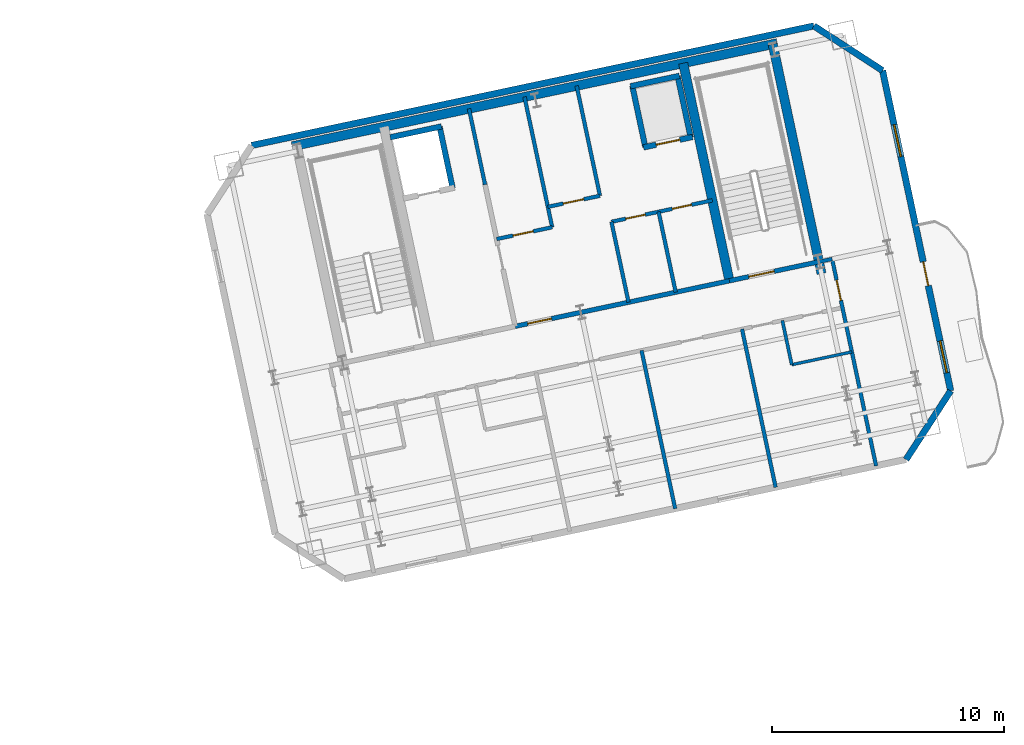
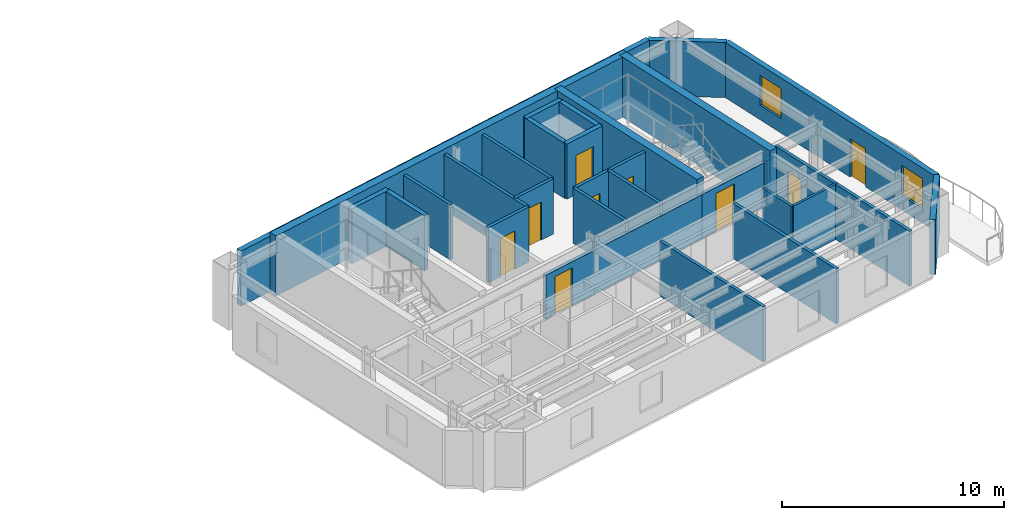
# One storey, part 8 of 14: 29 walls, 9 doors, 2 windows, 11 openings.
"""IFC4 building model written with IfcOpenShell, lengths in metres."""

from ifc_helpers import new_model, si_unit, direction, frame, frame_2d, origin, place, context, subcontext, project, spatial, rectangle, extrude, material, layer, layer_set, type_object, element, fill, save


model = new_model("IFC4")

# Units and contexts
model_context = context("Model", 3, precision=1e-05, world=origin(), true_north=direction((0.0, 1.0)))
body_context = subcontext(model_context, "Body", "Model", "MODEL_VIEW")
ifc_project = project(units=[si_unit("LENGTHUNIT", "METRE"), si_unit("AREAUNIT", "SQUARE_METRE"), si_unit("VOLUMEUNIT", "CUBIC_METRE"), si_unit("PLANEANGLEUNIT", "RADIAN"), si_unit("MASSUNIT", "GRAM", prefix="KILO")], contexts=[model_context])

# Site, building, storey
site_placement = place(None, origin())
site = spatial("IfcSite", under=ifc_project, at=site_placement, CompositionType="ELEMENT")
building_placement = place(site_placement, origin())
building = spatial("IfcBuilding", under=site, at=building_placement, Name="Haevon Station Towers", CompositionType="ELEMENT")
storey_placement = place(building_placement, frame((0.0, 0.0, 205.5)))
storey = spatial("IfcBuildingStorey", under=building, at=storey_placement, Name="L56", CompositionType="ELEMENT", Elevation=205.5)

# Wall, opening, door
ifc_material_1 = material(Name="Gypsum board on steel stud", Category="steel")
ifc_layer_1 = layer(ifc_material_1, 0.199951171875)
ifc_layer_set_1 = layer_set([ifc_layer_1], Name="Gypsum board on steel stud")
wall_type_1 = type_object("IfcWallType", Name="WL-COR200", PredefinedType="PARTITIONING", material=ifc_layer_set_1)
wall_1_placement = place(storey_placement, frame((115.4296875, 40.9873046875, 0.0), z_axis=(0.0, 0.0, 1.0), x_axis=(0.978146596989, 0.207916413008, 0.0)))
wall_1 = element("IfcWall", 1, at=wall_1_placement, inside=storey, type_object=wall_type_1, Name="WL-ST-ST4-L56", PredefinedType="PARTITIONING", context=body_context, shape_type="SweptSolid", body=[
    extrude(rectangle(XDim=3.9501953125, YDim=0.199951171875, at=frame_2d((1.97509765625, 0.0))), origin(), (0.0, 0.0, 1.0), 2.429931640625),
])
opening_1_placement = place(wall_1_placement, frame((0.85009765625, 0.0, 0.0)))
opening_1 = element("IfcOpeningElement", 2, at=opening_1_placement, cuts=wall_1, Name="Opening DR-ST-ST4-L56", PredefinedType="OPENING", context=body_context, shape_type="SweptSolid", body=[
    extrude(rectangle(XDim=1.1201171875, YDim=2.10009765625, at=frame_2d((0.56005859375, 1.050048828125))), frame((0.0, 0.10986328125, 0.0), z_axis=(0.0, -1.0, 0.0), x_axis=(1.0, 0.0, 0.0)), (0.0, 0.0, 1.0), 0.219970703125),
])
ifc_material_2 = material(Name="Engineered oak timber", Category="wood")
door_type_1 = type_object("IfcDoorType", Name="DR-ST-1120", OperationType="NOTDEFINED", PredefinedType="DOOR", material=ifc_material_2)
door_1_placement = place(opening_1_placement, origin())
door_1 = element("IfcDoor", 3, at=door_1_placement, inside=storey, type_object=door_type_1, Name="L56 Escape Stair ST4 Fire Door", OperationType="SINGLE_SWING_LEFT", OverallHeight=2.10009765625, OverallWidth=1.1201171875, PredefinedType="DOOR", context=body_context, shape_type="SweptSolid", body=[
    extrude(rectangle(XDim=1.1201171875, YDim=2.10009765625, at=frame_2d((0.56005859375, 1.050048828125))), frame((0.0, 0.02490234375, 0.0), z_axis=(0.0, -1.0, 0.0), x_axis=(1.0, 0.0, 0.0)), (0.0, 0.0, 1.0), 0.050048828125),
])
fill(opening_1, door_1)

wall_2_placement = place(storey_placement, frame((106.186279296875, 39.0224609375, 0.0), z_axis=(0.0, 0.0, 1.0), x_axis=(0.978145519981, 0.20792147975, 0.0)))
wall_2 = element("IfcWall", 4, at=wall_2_placement, inside=storey, type_object=wall_type_1, Name="WL-T2CLB-L56", PredefinedType="PARTITIONING", context=body_context, shape_type="SweptSolid", body=[
    extrude(rectangle(XDim=9.449951171875, YDim=0.199951171875, at=frame_2d((4.72509765625, 0.0))), origin(), (0.0, 0.0, 1.0), 2.429931640625),
])
opening_2_placement = place(wall_2_placement, frame((0.550048828125, 0.0, 0.0)))
opening_2 = element("IfcOpeningElement", 5, at=opening_2_placement, cuts=wall_2, Name="Opening DR-T2CLB-L56-1", PredefinedType="OPENING", context=body_context, shape_type="SweptSolid", body=[
    extrude(rectangle(XDim=1.050048828125, YDim=2.10009765625, at=frame_2d((0.52490234375, 1.050048828125))), frame((0.0, 0.10986328125, 0.0), z_axis=(0.0, -1.0, 0.0), x_axis=(1.0, 0.0, 0.0)), (0.0, 0.0, 1.0), 0.219970703125),
])
door_type_2 = type_object("IfcDoorType", Name="DR-FD60-1050", OperationType="NOTDEFINED", PredefinedType="DOOR", material=ifc_material_2)
door_2_placement = place(opening_2_placement, origin())
door_2 = element("IfcDoor", 6, at=door_2_placement, inside=storey, type_object=door_type_2, Name="L56 Tower 2 Core Lift Lobby Door 1", OperationType="SINGLE_SWING_RIGHT", OverallHeight=2.10009765625, OverallWidth=1.050048828125, PredefinedType="DOOR", context=body_context, shape_type="SweptSolid", body=[
    extrude(rectangle(XDim=1.050048828125, YDim=2.10009765625, at=frame_2d((0.52490234375, 1.050048828125))), frame((0.0, 0.02490234375, 0.0), z_axis=(0.0, -1.0, 0.0), x_axis=(1.0, 0.0, 0.0)), (0.0, 0.0, 1.0), 0.050048828125),
])
fill(opening_2, door_2)

# Walls
ifc_material_3 = material(Name="Concrete C60/75", Category="concrete")
ifc_layer_2 = layer(ifc_material_3, 0.39990234375)
ifc_layer_set_2 = layer_set([ifc_layer_2], Name="Concrete C60/75")
wall_type_2 = type_object("IfcWallType", Name="WL-CR400", PredefinedType="SHEAR", material=ifc_layer_set_2)
wall_3_placement = place(storey_placement, frame((96.560791015625, 46.791015625, 0.0), z_axis=(0.0, 0.0, 1.0), x_axis=(0.978148498705, 0.207907466152, 0.0)))
element("IfcWall", 7, at=wall_3_placement, inside=storey, type_object=wall_type_2, Name="WL-T2CR-L56-N", PredefinedType="SHEAR", context=body_context, shape_type="SweptSolid", body=[
    extrude(rectangle(XDim=21.39990234375, YDim=0.39990234375, at=frame_2d((10.699951171875, 0.0))), origin(), (0.0, 0.0, 1.0), 3.300048828125),
])
wall_4_placement = place(storey_placement, frame((119.401611328125, 41.2998046875, 0.0), z_axis=(0.0, 0.0, 1.0), x_axis=(-0.207904342798, 0.978149162575, 0.0)))
element("IfcWall", 8, at=wall_4_placement, inside=storey, type_object=wall_type_2, Name="WL-T2CR-L56-E", PredefinedType="SHEAR", context=body_context, shape_type="SweptSolid", body=[
    extrude(rectangle(XDim=10.1201171875, YDim=0.39990234375, at=frame_2d((5.06005859375, 0.0))), origin(), (0.0, 0.0, 1.0), 3.300048828125),
])
wall_5_placement = place(storey_placement, frame((115.4296875, 40.9873046875, 0.0), z_axis=(0.0, 0.0, 1.0), x_axis=(-0.207903162969, 0.978149413345, 0.0)))
element("IfcWall", 9, at=wall_5_placement, inside=storey, type_object=wall_type_2, Name="WL-T2CR-L56-M2", PredefinedType="SHEAR", context=body_context, shape_type="SweptSolid", body=[
    extrude(rectangle(XDim=9.599853515625, YDim=0.39990234375, at=frame_2d((4.7998046875, 0.0))), origin(), (0.0, 0.0, 1.0), 3.300048828125),
])
ifc_material_4 = material(Name="Precast concrete C45/55", Category="concrete")
ifc_layer_3 = layer(ifc_material_4, 0.280029296875)
ifc_layer_set_3 = layer_set([ifc_layer_3], Name="Precast concrete C45/55")
wall_type_3 = type_object("IfcWallType", Name="WL-EXT-PIER280", PredefinedType="SOLIDWALL", material=ifc_layer_set_3)
wall_6_placement = place(storey_placement, frame((94.814697265625, 46.828857421875, 0.0), z_axis=(0.0, 0.0, 1.0), x_axis=(0.97814726544, 0.207913268245, 0.0)))
element("IfcWall", 10, at=wall_6_placement, inside=storey, type_object=wall_type_3, Name="WL-T2-L56-N", PredefinedType="SOLIDWALL", context=body_context, shape_type="SweptSolid", body=[
    extrude(rectangle(XDim=24.800048828125, YDim=0.280029296875, at=frame_2d((12.39990234375, 0.0))), origin(), (0.0, 0.0, 1.0), 3.030029296875),
])
wall_7_placement = place(storey_placement, frame((119.07275390625, 51.985107421875, 0.0), z_axis=(0.0, 0.0, 1.0), x_axis=(0.838672309694, -0.544636352948, 0.0)))
element("IfcWall", 11, at=wall_7_placement, inside=storey, type_object=wall_type_3, Name="WL-T2-L56-NEC", PredefinedType="SOLIDWALL", context=body_context, shape_type="SweptSolid", body=[
    extrude(rectangle(XDim=3.535400390625, YDim=0.280029296875, at=frame_2d((1.767578125, 0.0))), origin(), (0.0, 0.0, 1.0), 3.030029296875),
])

# Wall, openings, door, windows
wall_8_placement = place(storey_placement, frame((122.037841796875, 50.0595703125, 0.0), z_axis=(0.0, 0.0, 1.0), x_axis=(0.207924054969, -0.978144972571, 0.0)))
wall_8 = element("IfcWall", 12, at=wall_8_placement, inside=storey, type_object=wall_type_3, Name="WL-T2-L56-E", PredefinedType="SOLIDWALL", context=body_context, shape_type="SweptSolid", body=[
    extrude(rectangle(XDim=14.130126953125, YDim=0.280029296875, at=frame_2d((7.06494140625, 0.0))), origin(), (0.0, 0.0, 1.0), 3.030029296875),
])
opening_3_placement = place(wall_8_placement, frame((8.43994140625, 0.0, 0.0)))
opening_3 = element("IfcOpeningElement", 13, at=opening_3_placement, cuts=wall_8, Name="Opening DR-T2-SCAL-L56-E", PredefinedType="OPENING", context=body_context, shape_type="SweptSolid", body=[
    extrude(rectangle(XDim=1.050048828125, YDim=2.10009765625, at=frame_2d((0.52490234375, 1.050048828125))), frame((0.0, 0.14990234375, 0.0), z_axis=(0.0, -1.0, 0.0), x_axis=(1.0, 0.0, 0.0)), (0.0, 0.0, 1.0), 0.300048828125),
])
opening_4_placement = place(wall_8_placement, frame((2.389892578125, 0.0, 0.800048828125)))
opening_4 = element("IfcOpeningElement", 14, at=opening_4_placement, cuts=wall_8, Name="Opening WN-END140", PredefinedType="OPENING", context=body_context, shape_type="SweptSolid", body=[
    extrude(rectangle(XDim=1.39990234375, YDim=1.64990234375, at=frame_2d((0.699951171875, 0.824951171875))), frame((0.0, 0.14990234375, 0.0), z_axis=(0.0, -1.0, 0.0), x_axis=(1.0, 0.0, 0.0)), (0.0, 0.0, 1.0), 0.300048828125),
])
opening_5_placement = place(wall_8_placement, frame((11.929931640625, 0.0, 0.800048828125)))
opening_5 = element("IfcOpeningElement", 15, at=opening_5_placement, cuts=wall_8, Name="Opening WN-END140", PredefinedType="OPENING", context=body_context, shape_type="SweptSolid", body=[
    extrude(rectangle(XDim=1.39990234375, YDim=1.64990234375, at=frame_2d((0.699951171875, 0.824951171875))), frame((0.0, 0.14990234375, 0.0), z_axis=(0.0, -1.0, 0.0), x_axis=(1.0, 0.0, 0.0)), (0.0, 0.0, 1.0), 0.300048828125),
])
ifc_material_5 = material(Name="Thermally broken anodised aluminium and laminated safety glass", Category="aluminium")
door_type_3 = type_object("IfcDoorType", Name="DR-BALC-1050", OperationType="NOTDEFINED", PredefinedType="DOOR", material=ifc_material_5)
door_3_placement = place(opening_3_placement, origin())
door_3 = element("IfcDoor", 16, at=door_3_placement, inside=storey, type_object=door_type_3, Name="Tower 2 L56 East Scalloped Balcony Door", OperationType="SINGLE_SWING_LEFT", OverallHeight=2.10009765625, OverallWidth=1.050048828125, PredefinedType="DOOR", context=body_context, shape_type="SweptSolid", body=[
    extrude(rectangle(XDim=1.050048828125, YDim=2.10009765625, at=frame_2d((0.52490234375, 1.050048828125))), frame((0.0, 0.02490234375, 0.0), z_axis=(0.0, -1.0, 0.0), x_axis=(1.0, 0.0, 0.0)), (0.0, 0.0, 1.0), 0.050048828125),
])
fill(opening_3, door_3)
ifc_material_6 = material(Name="Low-E triple glazing in thermally broken aluminium", Category="aluminium")
window_type = type_object("IfcWindowType", Name="WN-END140", PartitioningType="SINGLE_PANEL", PredefinedType="WINDOW", material=ifc_material_6)
window_1_placement = place(opening_4_placement, origin())
window_1 = element("IfcWindow", 17, at=window_1_placement, inside=storey, type_object=window_type, Name="WN-T2-L56-E01", OverallHeight=1.64990234375, OverallWidth=1.39990234375, PartitioningType="SINGLE_PANEL", PredefinedType="WINDOW", context=body_context, shape_type="SweptSolid", body=[
    extrude(rectangle(XDim=1.39990234375, YDim=1.64990234375, at=frame_2d((0.699951171875, 0.824951171875))), frame((0.0, 0.030029296875, 0.0), z_axis=(0.0, -1.0, 0.0), x_axis=(1.0, 0.0, 0.0)), (0.0, 0.0, 1.0), 0.06005859375),
])
fill(opening_4, window_1)
window_2_placement = place(opening_5_placement, origin())
window_2 = element("IfcWindow", 18, at=window_2_placement, inside=storey, type_object=window_type, Name="WN-T2-L56-E02", OverallHeight=1.64990234375, OverallWidth=1.39990234375, PartitioningType="SINGLE_PANEL", PredefinedType="WINDOW", context=body_context, shape_type="SweptSolid", body=[
    extrude(rectangle(XDim=1.39990234375, YDim=1.64990234375, at=frame_2d((0.699951171875, 0.824951171875))), frame((0.0, 0.030029296875, 0.0), z_axis=(0.0, -1.0, 0.0), x_axis=(1.0, 0.0, 0.0)), (0.0, 0.0, 1.0), 0.06005859375),
])
fill(opening_5, window_2)

# Walls
wall_9_placement = place(storey_placement, frame((124.975830078125, 36.23828125, 0.0), z_axis=(0.0, 0.0, 1.0), x_axis=(-0.544684921471, -0.838640767148, 0.0)))
element("IfcWall", 19, at=wall_9_placement, inside=storey, type_object=wall_type_3, Name="WL-T2-L56-SEC", PredefinedType="SOLIDWALL", context=body_context, shape_type="SweptSolid", body=[
    extrude(rectangle(XDim=3.53564453125, YDim=0.280029296875, at=frame_2d((1.767822265625, 0.0))), origin(), (0.0, 0.0, 1.0), 3.030029296875),
])
ifc_layer_4 = layer(ifc_material_1, 0.125)
ifc_layer_set_4 = layer_set([ifc_layer_4], Name="Gypsum board on steel stud")
wall_type_4 = type_object("IfcWallType", Name="WL-PRT125", PredefinedType="PARTITIONING", material=ifc_layer_set_4)
wall_10_placement = place(storey_placement, frame((118.119140625, 37.367431640625, 0.0), z_axis=(0.0, 0.0, 1.0), x_axis=(0.978155341176, 0.207875271565, 0.0)))
element("IfcWall", 20, at=wall_10_placement, inside=storey, type_object=wall_type_4, Name="WL-T2PT-L56-13", PredefinedType="PARTITIONING", context=body_context, shape_type="SweptSolid", body=[
    extrude(rectangle(XDim=2.65185546875, YDim=0.125, at=frame_2d((1.325927734375, 0.0))), origin(), (0.0, 0.0, 1.0), 3.030029296875),
])
ifc_layer_5 = layer(ifc_material_1, 0.139892578125)
ifc_layer_set_5 = layer_set([ifc_layer_5], Name="Gypsum board on steel stud")
wall_type_5 = type_object("IfcWallType", Name="WL-PRT140", PredefinedType="PARTITIONING", material=ifc_layer_set_5)
wall_11_placement = place(storey_placement, frame((118.119140625, 37.367431640625, 0.0), z_axis=(0.0, 0.0, 1.0), x_axis=(-0.207972563987, 0.978134659763, 0.0)))
element("IfcWall", 21, at=wall_11_placement, inside=storey, type_object=wall_type_5, Name="WL-T2PT-L56-14", PredefinedType="PARTITIONING", context=body_context, shape_type="SweptSolid", body=[
    extrude(rectangle(XDim=1.949951171875, YDim=0.139892578125, at=frame_2d((0.97509765625, 0.0))), origin(), (0.0, 0.0, 1.0), 3.030029296875),
])
ifc_layer_6 = layer(ifc_material_1, 0.159912109375)
ifc_layer_set_6 = layer_set([ifc_layer_6], Name="Gypsum board on steel stud")
wall_type_6 = type_object("IfcWallType", Name="WL-PRT160", PredefinedType="PARTITIONING", material=ifc_layer_set_6)
wall_12_placement = place(storey_placement, frame((104.88671875, 45.135986328125, 0.0), z_axis=(0.0, 0.0, 1.0), x_axis=(-0.207846553267, 0.978161443881, 0.0)))
element("IfcWall", 22, at=wall_12_placement, inside=storey, type_object=wall_type_6, Name="WL-T2CW-L56-01", PredefinedType="PARTITIONING", context=body_context, shape_type="SweptSolid", body=[
    extrude(rectangle(XDim=3.35009765625, YDim=0.159912109375, at=frame_2d((1.675048828125, 0.0))), origin(), (0.0, 0.0, 1.0), 3.030029296875),
])

# Wall, opening, door
wall_13_placement = place(storey_placement, frame((105.3857421875, 42.788330078125, 0.0), z_axis=(0.0, 0.0, 1.0), x_axis=(0.978136559131, 0.207963630695, 0.0)))
wall_13 = element("IfcWall", 23, at=wall_13_placement, inside=storey, type_object=wall_type_6, Name="WL-T2CW-L56-02", PredefinedType="PARTITIONING", context=body_context, shape_type="SweptSolid", body=[
    extrude(rectangle(XDim=2.449951171875, YDim=0.159912109375, at=frame_2d((1.22509765625, 0.0))), origin(), (0.0, 0.0, 1.0), 3.030029296875),
])
opening_6_placement = place(wall_13_placement, frame((0.719970703125, 0.0, 0.0)))
opening_6 = element("IfcOpeningElement", 24, at=opening_6_placement, cuts=wall_13, Name="Opening DR-WL-T2CW-L56-02-1", PredefinedType="OPENING", context=body_context, shape_type="SweptSolid", body=[
    extrude(rectangle(XDim=0.89990234375, YDim=2.10009765625, at=frame_2d((0.449951171875, 1.050048828125))), frame((0.0, 0.08984375, 0.0), z_axis=(0.0, -1.0, 0.0), x_axis=(1.0, 0.0, 0.0)), (0.0, 0.0, 1.0), 0.179931640625),
])
door_type_4 = type_object("IfcDoorType", Name="DR-FD60-900", OperationType="NOTDEFINED", PredefinedType="DOOR", material=ifc_material_2)
door_4_placement = place(opening_6_placement, origin())
door_4 = element("IfcDoor", 25, at=door_4_placement, inside=storey, type_object=door_type_4, Name="L56 Tower 2 Core Room Door 2-1", OperationType="SINGLE_SWING_LEFT", OverallHeight=2.10009765625, OverallWidth=0.89990234375, PredefinedType="DOOR", context=body_context, shape_type="SweptSolid", body=[
    extrude(rectangle(XDim=0.89990234375, YDim=2.10009765625, at=frame_2d((0.449951171875, 1.050048828125))), frame((0.0, 0.02490234375, 0.0), z_axis=(0.0, -1.0, 0.0), x_axis=(1.0, 0.0, 0.0)), (0.0, 0.0, 1.0), 0.050048828125),
])
fill(opening_6, door_4)

# Wall
wall_14_placement = place(storey_placement, frame((107.7822265625, 43.2978515625, 0.0), z_axis=(0.0, 0.0, 1.0), x_axis=(-0.207925279174, 0.978144712341, 0.0)))
element("IfcWall", 26, at=wall_14_placement, inside=storey, type_object=wall_type_6, Name="WL-T2CW-L56-03", PredefinedType="PARTITIONING", context=body_context, shape_type="SweptSolid", body=[
    extrude(rectangle(XDim=5.75, YDim=0.159912109375, at=frame_2d((2.875, 0.0))), origin(), (0.0, 0.0, 1.0), 3.030029296875),
])

# Wall, opening, door
wall_15_placement = place(storey_placement, frame((107.59521484375, 44.17822265625, 0.0), z_axis=(0.0, 0.0, 1.0), x_axis=(0.978162897375, 0.207839712757, 0.0)))
wall_15 = element("IfcWall", 27, at=wall_15_placement, inside=storey, type_object=wall_type_6, Name="WL-T2CW-L56-04", PredefinedType="PARTITIONING", context=body_context, shape_type="SweptSolid", body=[
    extrude(rectangle(XDim=2.300048828125, YDim=0.159912109375, at=frame_2d((1.14990234375, 0.0))), origin(), (0.0, 0.0, 1.0), 3.030029296875),
])
opening_7_placement = place(wall_15_placement, frame((0.679931640625, 0.0, 0.0)))
opening_7 = element("IfcOpeningElement", 28, at=opening_7_placement, cuts=wall_15, Name="Opening DR-WL-T2CW-L56-04-1", PredefinedType="OPENING", context=body_context, shape_type="SweptSolid", body=[
    extrude(rectangle(XDim=0.89990234375, YDim=2.10009765625, at=frame_2d((0.449951171875, 1.050048828125))), frame((0.0, 0.08984375, 0.0), z_axis=(0.0, -1.0, 0.0), x_axis=(1.0, 0.0, 0.0)), (0.0, 0.0, 1.0), 0.179931640625),
])
door_5_placement = place(opening_7_placement, origin())
door_5 = element("IfcDoor", 29, at=door_5_placement, inside=storey, type_object=door_type_4, Name="L56 Tower 2 Core Room Door 4-1", OperationType="SINGLE_SWING_RIGHT", OverallHeight=2.10009765625, OverallWidth=0.89990234375, PredefinedType="DOOR", context=body_context, shape_type="SweptSolid", body=[
    extrude(rectangle(XDim=0.89990234375, YDim=2.10009765625, at=frame_2d((0.449951171875, 1.050048828125))), frame((0.0, 0.02490234375, 0.0), z_axis=(0.0, -1.0, 0.0), x_axis=(1.0, 0.0, 0.0)), (0.0, 0.0, 1.0), 0.050048828125),
])
fill(opening_7, door_5)

# Walls
wall_16_placement = place(storey_placement, frame((109.844970703125, 44.65625, 0.0), z_axis=(0.0, 0.0, 1.0), x_axis=(-0.207940630195, 0.978141449032, 0.0)))
element("IfcWall", 30, at=wall_16_placement, inside=storey, type_object=wall_type_6, Name="WL-T2CW-L56-05", PredefinedType="PARTITIONING", context=body_context, shape_type="SweptSolid", body=[
    extrude(rectangle(XDim=4.85009765625, YDim=0.159912109375, at=frame_2d((2.425048828125, 0.0))), origin(), (0.0, 0.0, 1.0), 3.030029296875),
])
for number, where, z_axis, x_axis, name in (
    (31, (111.076904296875, 40.06201171875, 0.0), (0.0, 0.0, 1.0), (-0.207899058817, 0.978150285663, 0.0), "WL-T2CW-L56-06"),
    (32, (113.111572265625, 40.49462890625, 0.0), (0.0, 0.0, 1.0), (-0.207899058817, 0.978150285663, 0.0), "WL-T2CW-L56-07"),
):
    element("IfcWall", number, at=place(storey_placement, frame(where, z_axis=z_axis, x_axis=x_axis)), inside=storey, type_object=wall_type_6, Name=name, PredefinedType="PARTITIONING", context=body_context, shape_type="SweptSolid", body=[
        extrude(rectangle(XDim=3.550048828125, YDim=0.159912109375, at=frame_2d((1.77490234375, 0.0))), origin(), (0.0, 0.0, 1.0), 3.030029296875),
    ])

# Wall, openings, doors
wall_17_placement = place(storey_placement, frame((110.3388671875, 43.534423828125, 0.0), z_axis=(0.0, 0.0, 1.0), x_axis=(0.978143929138, 0.207928963567, 0.0)))
wall_17 = element("IfcWall", 33, at=wall_17_placement, inside=storey, type_object=wall_type_6, Name="WL-T2CW-L56-08", PredefinedType="PARTITIONING", context=body_context, shape_type="SweptSolid", body=[
    extrude(rectangle(XDim=4.449951171875, YDim=0.159912109375, at=frame_2d((2.22509765625, 0.0))), origin(), (0.0, 0.0, 1.0), 3.030029296875),
])
opening_8_placement = place(wall_17_placement, frame((0.635009765625, 0.0, 0.0)))
opening_8 = element("IfcOpeningElement", 34, at=opening_8_placement, cuts=wall_17, Name="Opening DR-WL-T2CW-L56-08-1", PredefinedType="OPENING", context=body_context, shape_type="SweptSolid", body=[
    extrude(rectangle(XDim=0.85009765625, YDim=2.050048828125, at=frame_2d((0.425048828125, 1.02490234375))), frame((0.0, 0.08984375, 0.0), z_axis=(0.0, -1.0, 0.0), x_axis=(1.0, 0.0, 0.0)), (0.0, 0.0, 1.0), 0.179931640625),
])
opening_9_placement = place(wall_17_placement, frame((2.679931640625, 0.0, 0.0)))
opening_9 = element("IfcOpeningElement", 35, at=opening_9_placement, cuts=wall_17, Name="Opening DR-WL-T2CW-L56-08-2", PredefinedType="OPENING", context=body_context, shape_type="SweptSolid", body=[
    extrude(rectangle(XDim=0.85009765625, YDim=2.050048828125, at=frame_2d((0.425048828125, 1.02490234375))), frame((0.0, 0.08984375, 0.0), z_axis=(0.0, -1.0, 0.0), x_axis=(1.0, 0.0, 0.0)), (0.0, 0.0, 1.0), 0.179931640625),
])
door_type_5 = type_object("IfcDoorType", Name="DR-FD30-850", OperationType="NOTDEFINED", PredefinedType="DOOR", material=ifc_material_2)
door_6_placement = place(opening_8_placement, origin())
door_6 = element("IfcDoor", 36, at=door_6_placement, inside=storey, type_object=door_type_5, Name="L56 Tower 2 Core Room Door 8-1", OperationType="SINGLE_SWING_LEFT", OverallHeight=2.050048828125, OverallWidth=0.85009765625, PredefinedType="DOOR", context=body_context, shape_type="SweptSolid", body=[
    extrude(rectangle(XDim=0.85009765625, YDim=2.050048828125, at=frame_2d((0.425048828125, 1.02490234375))), frame((0.0, 0.02490234375, 0.0), z_axis=(0.0, -1.0, 0.0), x_axis=(1.0, 0.0, 0.0)), (0.0, 0.0, 1.0), 0.050048828125),
])
fill(opening_8, door_6)
door_7_placement = place(opening_9_placement, origin())
door_7 = element("IfcDoor", 37, at=door_7_placement, inside=storey, type_object=door_type_5, Name="L56 Tower 2 Core Room Door 8-2", OperationType="SINGLE_SWING_RIGHT", OverallHeight=2.050048828125, OverallWidth=0.85009765625, PredefinedType="DOOR", context=body_context, shape_type="SweptSolid", body=[
    extrude(rectangle(XDim=0.85009765625, YDim=2.050048828125, at=frame_2d((0.425048828125, 1.02490234375))), frame((0.0, 0.02490234375, 0.0), z_axis=(0.0, -1.0, 0.0), x_axis=(1.0, 0.0, 0.0)), (0.0, 0.0, 1.0), 0.050048828125),
])
fill(opening_9, door_7)

# Wall
wall_18_placement = place(storey_placement, frame((119.29345703125, 41.80859375, 0.0), z_axis=(0.0, 0.0, 1.0), x_axis=(0.978146012851, 0.207919161079, 0.0)))
element("IfcWall", 38, at=wall_18_placement, inside=storey, type_object=wall_type_6, Name="WL-T2PT-L56-02", PredefinedType="PARTITIONING", context=body_context, shape_type="SweptSolid", body=[
    extrude(rectangle(XDim=0.580078125, YDim=0.159912109375, at=frame_2d((0.2900390625, 0.0))), origin(), (0.0, 0.0, 1.0), 2.429931640625),
])

# Wall, opening, door
wall_19_placement = place(storey_placement, frame((121.759033203125, 32.99853515625, 0.0), z_axis=(0.0, 0.0, 1.0), x_axis=(-0.207903528818, 0.978149335585, 0.0)))
wall_19 = element("IfcWall", 39, at=wall_19_placement, inside=storey, type_object=wall_type_6, Name="WL-T2PT-L56-04", PredefinedType="PARTITIONING", context=body_context, shape_type="SweptSolid", body=[
    extrude(rectangle(XDim=9.130126953125, YDim=0.159912109375, at=frame_2d((4.56494140625, 0.0))), origin(), (0.0, 0.0, 1.0), 3.030029296875),
])
opening_10_placement = place(wall_19_placement, frame((7.300048828125, 0.0, 0.0)))
opening_10 = element("IfcOpeningElement", 40, at=opening_10_placement, cuts=wall_19, Name="Opening DR-WL-T2PT-L56-04-01", PredefinedType="OPENING", context=body_context, shape_type="SweptSolid", body=[
    extrude(rectangle(XDim=0.89990234375, YDim=2.050048828125, at=frame_2d((0.449951171875, 1.02490234375))), frame((0.0, 0.08984375, 0.0), z_axis=(0.0, -1.0, 0.0), x_axis=(1.0, 0.0, 0.0)), (0.0, 0.0, 1.0), 0.179931640625),
])
door_type_6 = type_object("IfcDoorType", Name="DR-INT-900", OperationType="NOTDEFINED", PredefinedType="DOOR", material=ifc_material_2)
door_8_placement = place(opening_10_placement, origin())
door_8 = element("IfcDoor", 41, at=door_8_placement, inside=storey, type_object=door_type_6, Name="L56 Tower 2 Room Door 4-1", OperationType="SINGLE_SWING_RIGHT", OverallHeight=2.050048828125, OverallWidth=0.89990234375, PredefinedType="DOOR", context=body_context, shape_type="SweptSolid", body=[
    extrude(rectangle(XDim=0.89990234375, YDim=2.050048828125, at=frame_2d((0.449951171875, 1.02490234375))), frame((0.0, 0.02490234375, 0.0), z_axis=(0.0, -1.0, 0.0), x_axis=(1.0, 0.0, 0.0)), (0.0, 0.0, 1.0), 0.050048828125),
])
fill(opening_10, door_8)

# Walls
for number, where, z_axis, x_axis, name in (
    (42, (113.088623046875, 31.15576171875, 0.0), (0.0, 0.0, 1.0), (-0.207906863497, 0.9781486268, 0.0), "WL-T2PT-L56-11"),
    (43, (117.423828125, 32.0771484375, 0.0), (0.0, 0.0, 1.0), (-0.207906863497, 0.9781486268, 0.0), "WL-T2PT-L56-12"),
):
    element("IfcWall", number, at=place(storey_placement, frame(where, z_axis=z_axis, x_axis=x_axis)), inside=storey, type_object=wall_type_6, Name=name, PredefinedType="PARTITIONING", context=body_context, shape_type="SweptSolid", body=[
        extrude(rectangle(XDim=6.97998046875, YDim=0.159912109375, at=frame_2d((3.489990234375, 0.0))), origin(), (0.0, 0.0, 1.0), 3.030029296875),
    ])
ifc_material_7 = material(Name="Concrete C40/50", Category="concrete")
ifc_layer_7 = layer(ifc_material_7, 0.239990234375)
ifc_layer_set_7 = layer_set([ifc_layer_7], Name="Concrete C40/50")
wall_type_7 = type_object("IfcWallType", Name="WL-SHF240", PredefinedType="PARTITIONING", material=ifc_layer_set_7)
wall_20_placement = place(storey_placement, frame((100.79248046875, 47.179443359375, 0.0), z_axis=(0.0, 0.0, 1.0), x_axis=(0.978162968872, 0.207839376268, 0.0)))
element("IfcWall", 44, at=wall_20_placement, inside=storey, type_object=wall_type_7, Name="WL-SHF-FL2-L56-N", PredefinedType="PARTITIONING", context=body_context, shape_type="SweptSolid", body=[
    extrude(rectangle(XDim=2.260009765625, YDim=0.239990234375, at=frame_2d((1.1298828125, 0.0))), origin(), (0.0, 0.0, 1.0), 3.030029296875),
])
wall_21_placement = place(storey_placement, frame((103.486328125, 44.99169921875, 0.0), z_axis=(0.0, 0.0, 1.0), x_axis=(-0.207978798957, 0.978133334052, 0.0)))
element("IfcWall", 45, at=wall_21_placement, inside=storey, type_object=wall_type_7, Name="WL-SHF-FL2-L56-E", PredefinedType="PARTITIONING", context=body_context, shape_type="SweptSolid", body=[
    extrude(rectangle(XDim=2.699951171875, YDim=0.239990234375, at=frame_2d((1.35009765625, 0.0))), origin(), (0.0, 0.0, 1.0), 3.030029296875),
])

# Wall, opening, door
wall_22_placement = place(storey_placement, frame((111.72216796875, 46.7421875, 0.0), z_axis=(0.0, 0.0, 1.0), x_axis=(0.97813528961, 0.207969601673, 0.0)))
wall_22 = element("IfcWall", 46, at=wall_22_placement, inside=storey, type_object=wall_type_7, Name="WL-SHF-PL10-L56", PredefinedType="PARTITIONING", context=body_context, shape_type="SweptSolid", body=[
    extrude(rectangle(XDim=2.159912109375, YDim=0.239990234375, at=frame_2d((1.080078125, 0.0))), origin(), (0.0, 0.0, 1.0), 3.030029296875),
])
opening_11_placement = place(wall_22_placement, frame((0.554931640625, 0.0, 0.0)))
opening_11 = element("IfcOpeningElement", 47, at=opening_11_placement, cuts=wall_22, Name="Opening LD-PL10-L56", PredefinedType="OPENING", context=body_context, shape_type="SweptSolid", body=[
    extrude(rectangle(XDim=1.050048828125, YDim=2.14990234375, at=frame_2d((0.52490234375, 1.074951171875))), frame((0.0, 0.1298828125, 0.0), z_axis=(0.0, -1.0, 0.0), x_axis=(1.0, 0.0, 0.0)), (0.0, 0.0, 1.0), 0.260009765625),
])
ifc_material_8 = material(Name="Stainless steel and rated core", Category="steel")
door_type_7 = type_object("IfcDoorType", Name="LD-PL1050", OperationType="SLIDING_TO_LEFT", PredefinedType="DOOR", material=ifc_material_8)
door_9_placement = place(opening_11_placement, origin())
door_9 = element("IfcDoor", 48, at=door_9_placement, inside=storey, type_object=door_type_7, Name="L56 Lift PL10 Sliding Landing Door", OperationType="SLIDING_TO_LEFT", OverallHeight=2.14990234375, OverallWidth=1.050048828125, PredefinedType="DOOR", context=body_context, shape_type="SweptSolid", body=[
    extrude(rectangle(XDim=1.050048828125, YDim=2.14990234375, at=frame_2d((0.52490234375, 1.074951171875))), frame((0.0, 0.02490234375, 0.0), z_axis=(0.0, -1.0, 0.0), x_axis=(1.0, 0.0, 0.0)), (0.0, 0.0, 1.0), 0.050048828125),
])
fill(opening_11, door_9)

# Walls
wall_23_placement = place(storey_placement, frame((111.160888671875, 49.38330078125, 0.0), z_axis=(0.0, 0.0, 1.0), x_axis=(0.978158276388, 0.207861459473, 0.0)))
element("IfcWall", 49, at=wall_23_placement, inside=storey, type_object=wall_type_7, Name="WL-SHF-PL10-L56-N", PredefinedType="PARTITIONING", context=body_context, shape_type="SweptSolid", body=[
    extrude(rectangle(XDim=2.159912109375, YDim=0.239990234375, at=frame_2d((1.080078125, 0.0))), origin(), (0.0, 0.0, 1.0), 3.030029296875),
])
for number, where, z_axis, x_axis, name in (
    (50, (111.800537109375, 46.7587890625, 0.0), (0.0, 0.0, 1.0), (-0.207960405185, 0.978137244908, 0.0), "WL-SHF-PL10-L56-W"),
    (51, (113.7568359375, 47.174560546875, 0.0), (0.0, 0.0, 1.0), (-0.207960405185, 0.978137244908, 0.0), "WL-SHF-PL10-L56-E"),
):
    element("IfcWall", number, at=place(storey_placement, frame(where, z_axis=z_axis, x_axis=x_axis)), inside=storey, type_object=wall_type_7, Name=name, PredefinedType="PARTITIONING", context=body_context, shape_type="SweptSolid", body=[
        extrude(rectangle(XDim=2.7001953125, YDim=0.239990234375, at=frame_2d((1.35009765625, 0.0))), origin(), (0.0, 0.0, 1.0), 3.030029296875),
    ])

save(model, "model.ifc")
